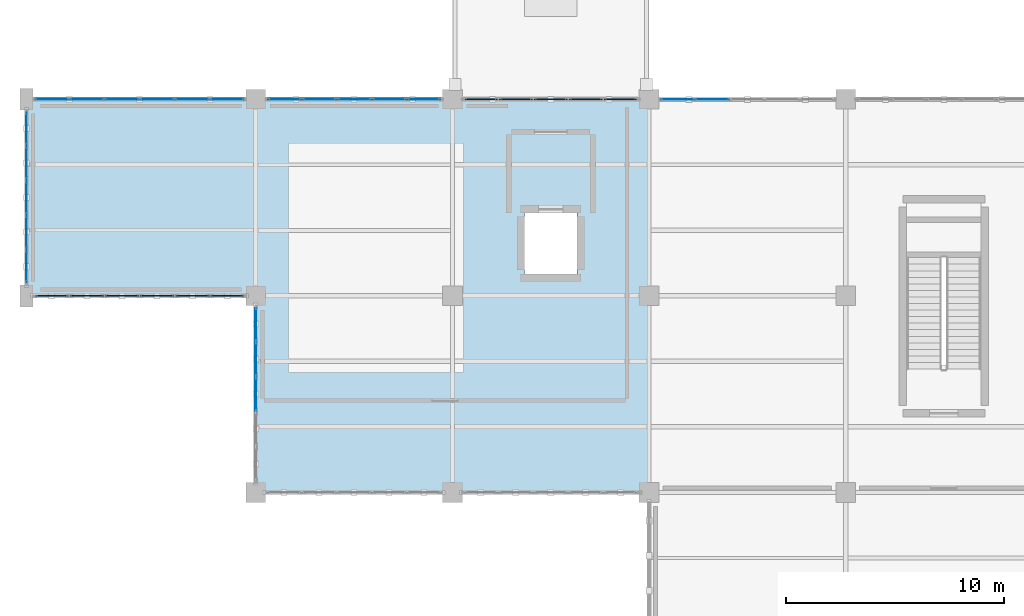
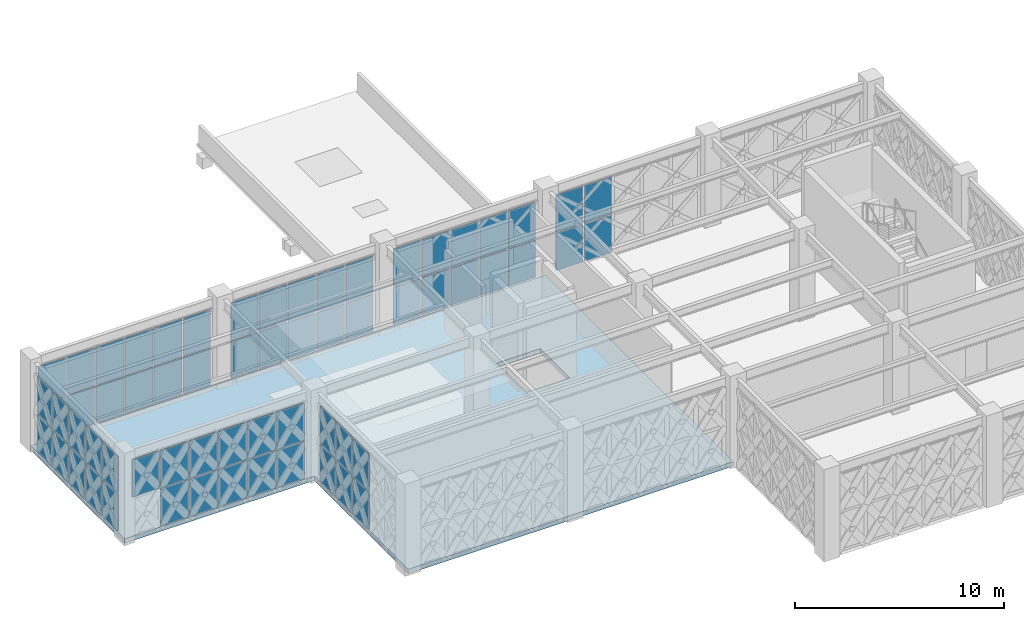
# One storey, part 118 of 155: 63 plates, 1 slab, 7 elements without a shape of their own.
"""IFC4 building model written with IfcOpenShell, lengths in metres."""

from ifc_helpers import new_model, si_unit, direction, frame, origin, origin_2d, place, context, subcontext, project, spatial, polyline, rectangle, outline, extrude, material, layer, layer_set, type_object, element, aggregate, save


model = new_model("IFC4")

# Units and contexts
model_context = context("Model", 3, precision=1e-05, world=origin(), true_north=direction((0.0, 1.0)))
body_context = subcontext(model_context, "Body", "Model", "MODEL_VIEW")
ifc_project = project(units=[si_unit("LENGTHUNIT", "METRE"), si_unit("AREAUNIT", "SQUARE_METRE"), si_unit("VOLUMEUNIT", "CUBIC_METRE"), si_unit("PLANEANGLEUNIT", "RADIAN"), si_unit("MASSUNIT", "GRAM", prefix="KILO")], contexts=[model_context])

# Site, building, storey
site_placement = place(None, origin())
site = spatial("IfcSite", under=ifc_project, at=site_placement, CompositionType="ELEMENT")
building_placement = place(site_placement, origin())
building = spatial("IfcBuilding", under=site, at=building_placement, Name="Haizhuo Lancet Aquarium", CompositionType="ELEMENT")
storey_placement = place(building_placement, frame((0.0, 0.0, 10.800048828125)))
storey = spatial("IfcBuildingStorey", under=building, at=storey_placement, Name="L02", CompositionType="ELEMENT", Elevation=10.800048828125)

# Curtain wall, plates
ifc_material_1 = material(Name="Aluminium 6063-T6", Category="aluminium")
curtain_wall_type_1 = type_object("IfcCurtainWallType", Name="CWD-7910x4560", PredefinedType="NOTDEFINED", material=ifc_material_1)
curtain_wall_1_placement = place(storey_placement, origin())
curtain_wall_1 = element("IfcCurtainWall", 1, at=curtain_wall_1_placement, inside=storey, type_object=curtain_wall_type_1, Name="L02 curtain wall CW-V6-L02-213", PredefinedType="NOTDEFINED")
ifc_material_2 = material(Name="Laminated Low-E Glass", Category="glass")
ifc_layer_1 = layer(ifc_material_2, 0.028076171875)
ifc_layer_set_1 = layer_set([ifc_layer_1], Name="Laminated Low-E Glass")
plate_type_1 = type_object("IfcPlateType", Name="CW-PNL-1", PredefinedType="CURTAIN_PANEL", material=ifc_layer_set_1)
plate_1_placement = place(storey_placement, frame((-82.5, -16.64404296875, 0.080078125), z_axis=(0.0, 0.0, 1.0), x_axis=(0.0, 1.0, 0.0)))
plate_1 = element("IfcPlate", 2, at=plate_1_placement, type_object=plate_type_1, Name="CWD-79x45 panel 1.1", PredefinedType="CURTAIN_PANEL", context=body_context, shape_type="SweptSolid", body=[
    extrude(rectangle(XDim=1.4619140625, YDim=0.028076171875, at=origin_2d()), origin(), (0.0, 0.0, 1.0), 2.159912109375),
])
plate_2_placement = place(storey_placement, frame((-82.5, -16.64404296875, 2.31982421875), z_axis=(0.0, 0.0, 1.0), x_axis=(0.0, 1.0, 0.0)))
plate_2 = element("IfcPlate", 3, at=plate_2_placement, type_object=plate_type_1, Name="CWD-79x45 panel 1.2", PredefinedType="CURTAIN_PANEL", context=body_context, shape_type="SweptSolid", body=[
    extrude(rectangle(XDim=1.4619140625, YDim=0.028076171875, at=origin_2d()), origin(), (0.0, 0.0, 1.0), 2.159912109375),
])
plate_3_placement = place(storey_placement, frame((-82.5, -15.08203125, 0.080078125), z_axis=(0.0, 0.0, 1.0), x_axis=(0.0, 1.0, 0.0)))
plate_3 = element("IfcPlate", 4, at=plate_3_placement, type_object=plate_type_1, Name="CWD-79x45 panel 2.1", PredefinedType="CURTAIN_PANEL", context=body_context, shape_type="SweptSolid", body=[
    extrude(rectangle(XDim=1.501953125, YDim=0.028076171875, at=origin_2d()), origin(), (0.0, 0.0, 1.0), 2.159912109375),
])
plate_4_placement = place(storey_placement, frame((-82.5, -15.08203125, 2.31982421875), z_axis=(0.0, 0.0, 1.0), x_axis=(0.0, 1.0, 0.0)))
plate_4 = element("IfcPlate", 5, at=plate_4_placement, type_object=plate_type_1, Name="CWD-79x45 panel 2.2", PredefinedType="CURTAIN_PANEL", context=body_context, shape_type="SweptSolid", body=[
    extrude(rectangle(XDim=1.501953125, YDim=0.028076171875, at=origin_2d()), origin(), (0.0, 0.0, 1.0), 2.159912109375),
])
plate_5_placement = place(storey_placement, frame((-82.5, -13.5, 0.080078125), z_axis=(0.0, 0.0, 1.0), x_axis=(0.0, 1.0, 0.0)))
plate_5 = element("IfcPlate", 6, at=plate_5_placement, type_object=plate_type_1, Name="CWD-79x45 panel 3.1", PredefinedType="CURTAIN_PANEL", context=body_context, shape_type="SweptSolid", body=[
    extrude(rectangle(XDim=1.501953125, YDim=0.028076171875, at=origin_2d()), origin(), (0.0, 0.0, 1.0), 2.159912109375),
])
plate_6_placement = place(storey_placement, frame((-82.5, -13.5, 2.31982421875), z_axis=(0.0, 0.0, 1.0), x_axis=(0.0, 1.0, 0.0)))
plate_6 = element("IfcPlate", 7, at=plate_6_placement, type_object=plate_type_1, Name="CWD-79x45 panel 3.2", PredefinedType="CURTAIN_PANEL", context=body_context, shape_type="SweptSolid", body=[
    extrude(rectangle(XDim=1.501953125, YDim=0.028076171875, at=origin_2d()), origin(), (0.0, 0.0, 1.0), 2.159912109375),
])
plate_7_placement = place(storey_placement, frame((-82.5, -11.91796875, 0.080078125), z_axis=(0.0, 0.0, 1.0), x_axis=(0.0, 1.0, 0.0)))
plate_7 = element("IfcPlate", 8, at=plate_7_placement, type_object=plate_type_1, Name="CWD-79x45 panel 4.1", PredefinedType="CURTAIN_PANEL", context=body_context, shape_type="SweptSolid", body=[
    extrude(rectangle(XDim=1.501953125, YDim=0.028076171875, at=origin_2d()), origin(), (0.0, 0.0, 1.0), 2.159912109375),
])
plate_8_placement = place(storey_placement, frame((-82.5, -11.91796875, 2.31982421875), z_axis=(0.0, 0.0, 1.0), x_axis=(0.0, 1.0, 0.0)))
plate_8 = element("IfcPlate", 9, at=plate_8_placement, type_object=plate_type_1, Name="CWD-79x45 panel 4.2", PredefinedType="CURTAIN_PANEL", context=body_context, shape_type="SweptSolid", body=[
    extrude(rectangle(XDim=1.501953125, YDim=0.028076171875, at=origin_2d()), origin(), (0.0, 0.0, 1.0), 2.159912109375),
])
plate_9_placement = place(storey_placement, frame((-82.5, -10.35595703125, 0.080078125), z_axis=(0.0, 0.0, 1.0), x_axis=(0.0, 1.0, 0.0)))
plate_9 = element("IfcPlate", 10, at=plate_9_placement, type_object=plate_type_1, Name="CWD-79x45 panel 5.1", PredefinedType="CURTAIN_PANEL", context=body_context, shape_type="SweptSolid", body=[
    extrude(rectangle(XDim=1.4619140625, YDim=0.028076171875, at=origin_2d()), origin(), (0.0, 0.0, 1.0), 2.159912109375),
])
plate_10_placement = place(storey_placement, frame((-82.5, -10.35595703125, 2.31982421875), z_axis=(0.0, 0.0, 1.0), x_axis=(0.0, 1.0, 0.0)))
plate_10 = element("IfcPlate", 11, at=plate_10_placement, type_object=plate_type_1, Name="CWD-79x45 panel 5.2", PredefinedType="CURTAIN_PANEL", context=body_context, shape_type="SweptSolid", body=[
    extrude(rectangle(XDim=1.4619140625, YDim=0.028076171875, at=origin_2d()), origin(), (0.0, 0.0, 1.0), 2.159912109375),
])
aggregate(curtain_wall_1, [plate_1, plate_2, plate_3, plate_4, plate_5, plate_6, plate_7, plate_8, plate_9, plate_10])

curtain_wall_type_2 = type_object("IfcCurtainWallType", Name="CWO-8010x4560", PredefinedType="NOTDEFINED", material=ifc_material_1)
curtain_wall_2_placement = place(storey_placement, origin())
curtain_wall_2 = element("IfcCurtainWall", 12, at=curtain_wall_2_placement, inside=storey, type_object=curtain_wall_type_2, Name="L02 curtain wall CW-V6-L02-217", PredefinedType="NOTDEFINED")
plate_11_placement = place(storey_placement, frame((-52.68798828125, -9.0, 0.06494140625), z_axis=(0.0, 0.0, 1.0), x_axis=(1.0, 0.0, 0.0)))
plate_11 = element("IfcPlate", 13, at=plate_11_placement, type_object=plate_type_1, Name="CWO-80x45 panel 1.1", PredefinedType="CURTAIN_PANEL", context=body_context, shape_type="SweptSolid", body=[
    extrude(rectangle(XDim=1.5048828125, YDim=0.028076171875, at=origin_2d()), origin(), (0.0, 0.0, 1.0), 2.181884765625),
])
plate_12_placement = place(storey_placement, frame((-52.68798828125, -9.0, 2.31298828125), z_axis=(0.0, 0.0, 1.0), x_axis=(1.0, 0.0, 0.0)))
plate_12 = element("IfcPlate", 14, at=plate_12_placement, type_object=plate_type_1, Name="CWO-80x45 panel 1.2", PredefinedType="CURTAIN_PANEL", context=body_context, shape_type="SweptSolid", body=[
    extrude(rectangle(XDim=1.5048828125, YDim=0.028076171875, at=origin_2d()), origin(), (0.0, 0.0, 1.0), 2.181884765625),
])
plate_13_placement = place(storey_placement, frame((-51.10205078125, -9.0, 0.06494140625), z_axis=(0.0, 0.0, 1.0), x_axis=(1.0, 0.0, 0.0)))
plate_13 = element("IfcPlate", 15, at=plate_13_placement, type_object=plate_type_1, Name="CWO-80x45 panel 2.1", PredefinedType="CURTAIN_PANEL", context=body_context, shape_type="SweptSolid", body=[
    extrude(rectangle(XDim=1.537109375, YDim=0.028076171875, at=origin_2d()), origin(), (0.0, 0.0, 1.0), 2.181884765625),
])
plate_14_placement = place(storey_placement, frame((-51.10205078125, -9.0, 2.31298828125), z_axis=(0.0, 0.0, 1.0), x_axis=(1.0, 0.0, 0.0)))
plate_14 = element("IfcPlate", 16, at=plate_14_placement, type_object=plate_type_1, Name="CWO-80x45 panel 2.2", PredefinedType="CURTAIN_PANEL", context=body_context, shape_type="SweptSolid", body=[
    extrude(rectangle(XDim=1.537109375, YDim=0.028076171875, at=origin_2d()), origin(), (0.0, 0.0, 1.0), 2.181884765625),
])
aggregate(curtain_wall_2, [plate_11, plate_12, plate_13, plate_14])

curtain_wall_type_3 = type_object("IfcCurtainWallType", Name="CWO-9660x4560", PredefinedType="NOTDEFINED", material=ifc_material_1)
curtain_wall_3_placement = place(storey_placement, origin())
curtain_wall_3 = element("IfcCurtainWall", 17, at=curtain_wall_3_placement, inside=storey, type_object=curtain_wall_type_3, Name="L02 curtain wall CW-V6-L02-214", PredefinedType="NOTDEFINED")
ifc_layer_2 = layer(ifc_material_2, 0.033935546875)
ifc_layer_set_2 = layer_set([ifc_layer_2], Name="Laminated Low-E Glass")
plate_type_2 = type_object("IfcPlateType", Name="CW-PNL-2", PredefinedType="CURTAIN_PANEL", material=ifc_layer_set_2)
plate_15_placement = place(storey_placement, frame((-81.333984375, -9.0, 0.06494140625), z_axis=(0.0, 0.0, 1.0), x_axis=(1.0, 0.0, 0.0)))
plate_15 = element("IfcPlate", 18, at=plate_15_placement, type_object=plate_type_2, Name="CWO-96x45 panel 1.1", PredefinedType="CURTAIN_PANEL", context=body_context, shape_type="SweptSolid", body=[
    extrude(rectangle(XDim=1.511962890625, YDim=0.033935546875, at=origin_2d()), origin(), (0.0, 0.0, 1.0), 2.181884765625),
])
plate_16_placement = place(storey_placement, frame((-81.333984375, -9.0, 2.31298828125), z_axis=(0.0, 0.0, 1.0), x_axis=(1.0, 0.0, 0.0)))
plate_16 = element("IfcPlate", 19, at=plate_16_placement, type_object=plate_type_2, Name="CWO-96x45 panel 1.2", PredefinedType="CURTAIN_PANEL", context=body_context, shape_type="SweptSolid", body=[
    extrude(rectangle(XDim=1.511962890625, YDim=0.033935546875, at=origin_2d()), origin(), (0.0, 0.0, 1.0), 2.181884765625),
])
plate_17_placement = place(storey_placement, frame((-79.739990234375, -9.0, 0.06494140625), z_axis=(0.0, 0.0, 1.0), x_axis=(1.0, 0.0, 0.0)))
plate_17 = element("IfcPlate", 20, at=plate_17_placement, type_object=plate_type_2, Name="CWO-96x45 panel 2.1", PredefinedType="CURTAIN_PANEL", context=body_context, shape_type="SweptSolid", body=[
    extrude(rectangle(XDim=1.544921875, YDim=0.033935546875, at=origin_2d()), origin(), (0.0, 0.0, 1.0), 2.181884765625),
])
plate_18_placement = place(storey_placement, frame((-79.739990234375, -9.0, 2.31298828125), z_axis=(0.0, 0.0, 1.0), x_axis=(1.0, 0.0, 0.0)))
plate_18 = element("IfcPlate", 21, at=plate_18_placement, type_object=plate_type_2, Name="CWO-96x45 panel 2.2", PredefinedType="CURTAIN_PANEL", context=body_context, shape_type="SweptSolid", body=[
    extrude(rectangle(XDim=1.544921875, YDim=0.033935546875, at=origin_2d()), origin(), (0.0, 0.0, 1.0), 2.181884765625),
])
plate_19_placement = place(storey_placement, frame((-78.1298828125, -9.0, 0.06494140625), z_axis=(0.0, 0.0, 1.0), x_axis=(1.0, 0.0, 0.0)))
plate_19 = element("IfcPlate", 22, at=plate_19_placement, type_object=plate_type_2, Name="CWO-96x45 panel 3.1", PredefinedType="CURTAIN_PANEL", context=body_context, shape_type="SweptSolid", body=[
    extrude(rectangle(XDim=1.544921875, YDim=0.033935546875, at=origin_2d()), origin(), (0.0, 0.0, 1.0), 2.181884765625),
])
plate_20_placement = place(storey_placement, frame((-78.1298828125, -9.0, 2.31298828125), z_axis=(0.0, 0.0, 1.0), x_axis=(1.0, 0.0, 0.0)))
plate_20 = element("IfcPlate", 23, at=plate_20_placement, type_object=plate_type_2, Name="CWO-96x45 panel 3.2", PredefinedType="CURTAIN_PANEL", context=body_context, shape_type="SweptSolid", body=[
    extrude(rectangle(XDim=1.544921875, YDim=0.033935546875, at=origin_2d()), origin(), (0.0, 0.0, 1.0), 2.181884765625),
])
plate_21_placement = place(storey_placement, frame((-76.52001953125, -9.0, 0.06494140625), z_axis=(0.0, 0.0, 1.0), x_axis=(1.0, 0.0, 0.0)))
plate_21 = element("IfcPlate", 24, at=plate_21_placement, type_object=plate_type_2, Name="CWO-96x45 panel 4.1", PredefinedType="CURTAIN_PANEL", context=body_context, shape_type="SweptSolid", body=[
    extrude(rectangle(XDim=1.544921875, YDim=0.033935546875, at=origin_2d()), origin(), (0.0, 0.0, 1.0), 2.181884765625),
])
plate_22_placement = place(storey_placement, frame((-76.52001953125, -9.0, 2.31298828125), z_axis=(0.0, 0.0, 1.0), x_axis=(1.0, 0.0, 0.0)))
plate_22 = element("IfcPlate", 25, at=plate_22_placement, type_object=plate_type_2, Name="CWO-96x45 panel 4.2", PredefinedType="CURTAIN_PANEL", context=body_context, shape_type="SweptSolid", body=[
    extrude(rectangle(XDim=1.544921875, YDim=0.033935546875, at=origin_2d()), origin(), (0.0, 0.0, 1.0), 2.181884765625),
])
plate_23_placement = place(storey_placement, frame((-74.909912109375, -9.0, 0.06494140625), z_axis=(0.0, 0.0, 1.0), x_axis=(1.0, 0.0, 0.0)))
plate_23 = element("IfcPlate", 26, at=plate_23_placement, type_object=plate_type_2, Name="CWO-96x45 panel 5.1", PredefinedType="CURTAIN_PANEL", context=body_context, shape_type="SweptSolid", body=[
    extrude(rectangle(XDim=1.544921875, YDim=0.033935546875, at=origin_2d()), origin(), (0.0, 0.0, 1.0), 2.181884765625),
])
plate_24_placement = place(storey_placement, frame((-74.909912109375, -9.0, 2.31298828125), z_axis=(0.0, 0.0, 1.0), x_axis=(1.0, 0.0, 0.0)))
plate_24 = element("IfcPlate", 27, at=plate_24_placement, type_object=plate_type_2, Name="CWO-96x45 panel 5.2", PredefinedType="CURTAIN_PANEL", context=body_context, shape_type="SweptSolid", body=[
    extrude(rectangle(XDim=1.544921875, YDim=0.033935546875, at=origin_2d()), origin(), (0.0, 0.0, 1.0), 2.181884765625),
])
plate_25_placement = place(storey_placement, frame((-73.31591796875, -9.0, 0.06494140625), z_axis=(0.0, 0.0, 1.0), x_axis=(1.0, 0.0, 0.0)))
plate_25 = element("IfcPlate", 28, at=plate_25_placement, type_object=plate_type_2, Name="CWO-96x45 panel 6.1", PredefinedType="CURTAIN_PANEL", context=body_context, shape_type="SweptSolid", body=[
    extrude(rectangle(XDim=1.511962890625, YDim=0.033935546875, at=origin_2d()), origin(), (0.0, 0.0, 1.0), 2.181884765625),
])
plate_26_placement = place(storey_placement, frame((-73.31591796875, -9.0, 2.31298828125), z_axis=(0.0, 0.0, 1.0), x_axis=(1.0, 0.0, 0.0)))
plate_26 = element("IfcPlate", 29, at=plate_26_placement, type_object=plate_type_2, Name="CWO-96x45 panel 6.2", PredefinedType="CURTAIN_PANEL", context=body_context, shape_type="SweptSolid", body=[
    extrude(rectangle(XDim=1.511962890625, YDim=0.033935546875, at=origin_2d()), origin(), (0.0, 0.0, 1.0), 2.181884765625),
])
aggregate(curtain_wall_3, [plate_15, plate_16, plate_17, plate_18, plate_19, plate_20, plate_21, plate_22, plate_23, plate_24, plate_25, plate_26])

curtain_wall_4_placement = place(storey_placement, origin())
curtain_wall_4 = element("IfcCurtainWall", 30, at=curtain_wall_4_placement, inside=storey, type_object=curtain_wall_type_2, Name="L02 curtain wall CW-V6-L02-215", PredefinedType="NOTDEFINED")
ifc_layer_3 = layer(ifc_material_2, 0.0419921875)
ifc_layer_set_3 = layer_set([ifc_layer_3], Name="Laminated Low-E Glass")
plate_type_3 = type_object("IfcPlateType", Name="CW-PNL-3", PredefinedType="CURTAIN_PANEL", material=ifc_layer_set_3)
plate_27_placement = place(storey_placement, frame((-70.68505859375, -9.0, 0.074951171875), z_axis=(0.0, 0.0, 1.0), x_axis=(1.0, 0.0, 0.0)))
plate_27 = element("IfcPlate", 31, at=plate_27_placement, type_object=plate_type_3, Name="CWO-80x45 panel 1.1", PredefinedType="CURTAIN_PANEL", context=body_context, shape_type="SweptSolid", body=[
    extrude(rectangle(XDim=1.489013671875, YDim=0.0419921875, at=origin_2d()), origin(), (0.0, 0.0, 1.0), 2.16796875),
])
plate_28_placement = place(storey_placement, frame((-70.68505859375, -9.0, 2.31689453125), z_axis=(0.0, 0.0, 1.0), x_axis=(1.0, 0.0, 0.0)))
plate_28 = element("IfcPlate", 32, at=plate_28_placement, type_object=plate_type_3, Name="CWO-80x45 panel 1.2", PredefinedType="CURTAIN_PANEL", context=body_context, shape_type="SweptSolid", body=[
    extrude(rectangle(XDim=1.489013671875, YDim=0.0419921875, at=origin_2d()), origin(), (0.0, 0.0, 1.0), 2.16796875),
])
plate_29_placement = place(storey_placement, frame((-69.10205078125, -9.0, 0.074951171875), z_axis=(0.0, 0.0, 1.0), x_axis=(1.0, 0.0, 0.0)))
plate_29 = element("IfcPlate", 33, at=plate_29_placement, type_object=plate_type_3, Name="CWO-80x45 panel 2.1", PredefinedType="CURTAIN_PANEL", context=body_context, shape_type="SweptSolid", body=[
    extrude(rectangle(XDim=1.527099609375, YDim=0.0419921875, at=origin_2d()), origin(), (0.0, 0.0, 1.0), 2.16796875),
])
plate_30_placement = place(storey_placement, frame((-69.10205078125, -9.0, 2.31689453125), z_axis=(0.0, 0.0, 1.0), x_axis=(1.0, 0.0, 0.0)))
plate_30 = element("IfcPlate", 34, at=plate_30_placement, type_object=plate_type_3, Name="CWO-80x45 panel 2.2", PredefinedType="CURTAIN_PANEL", context=body_context, shape_type="SweptSolid", body=[
    extrude(rectangle(XDim=1.527099609375, YDim=0.0419921875, at=origin_2d()), origin(), (0.0, 0.0, 1.0), 2.16796875),
])
plate_31_placement = place(storey_placement, frame((-67.5, -9.0, 0.074951171875), z_axis=(0.0, 0.0, 1.0), x_axis=(1.0, 0.0, 0.0)))
plate_31 = element("IfcPlate", 35, at=plate_31_placement, type_object=plate_type_3, Name="CWO-80x45 panel 3.1", PredefinedType="CURTAIN_PANEL", context=body_context, shape_type="SweptSolid", body=[
    extrude(rectangle(XDim=1.527099609375, YDim=0.0419921875, at=origin_2d()), origin(), (0.0, 0.0, 1.0), 2.16796875),
])
plate_32_placement = place(storey_placement, frame((-67.5, -9.0, 2.31689453125), z_axis=(0.0, 0.0, 1.0), x_axis=(1.0, 0.0, 0.0)))
plate_32 = element("IfcPlate", 36, at=plate_32_placement, type_object=plate_type_3, Name="CWO-80x45 panel 3.2", PredefinedType="CURTAIN_PANEL", context=body_context, shape_type="SweptSolid", body=[
    extrude(rectangle(XDim=1.527099609375, YDim=0.0419921875, at=origin_2d()), origin(), (0.0, 0.0, 1.0), 2.16796875),
])
plate_33_placement = place(storey_placement, frame((-65.89794921875, -9.0, 0.074951171875), z_axis=(0.0, 0.0, 1.0), x_axis=(1.0, 0.0, 0.0)))
plate_33 = element("IfcPlate", 37, at=plate_33_placement, type_object=plate_type_3, Name="CWO-80x45 panel 4.1", PredefinedType="CURTAIN_PANEL", context=body_context, shape_type="SweptSolid", body=[
    extrude(rectangle(XDim=1.527099609375, YDim=0.0419921875, at=origin_2d()), origin(), (0.0, 0.0, 1.0), 2.16796875),
])
plate_34_placement = place(storey_placement, frame((-65.89794921875, -9.0, 2.31689453125), z_axis=(0.0, 0.0, 1.0), x_axis=(1.0, 0.0, 0.0)))
plate_34 = element("IfcPlate", 38, at=plate_34_placement, type_object=plate_type_3, Name="CWO-80x45 panel 4.2", PredefinedType="CURTAIN_PANEL", context=body_context, shape_type="SweptSolid", body=[
    extrude(rectangle(XDim=1.527099609375, YDim=0.0419921875, at=origin_2d()), origin(), (0.0, 0.0, 1.0), 2.16796875),
])
plate_35_placement = place(storey_placement, frame((-64.31494140625, -9.0, 0.074951171875), z_axis=(0.0, 0.0, 1.0), x_axis=(1.0, 0.0, 0.0)))
plate_35 = element("IfcPlate", 39, at=plate_35_placement, type_object=plate_type_3, Name="CWO-80x45 panel 5.1", PredefinedType="CURTAIN_PANEL", context=body_context, shape_type="SweptSolid", body=[
    extrude(rectangle(XDim=1.489990234375, YDim=0.0419921875, at=origin_2d()), origin(), (0.0, 0.0, 1.0), 2.16796875),
])
plate_36_placement = place(storey_placement, frame((-64.31494140625, -9.0, 2.31689453125), z_axis=(0.0, 0.0, 1.0), x_axis=(1.0, 0.0, 0.0)))
plate_36 = element("IfcPlate", 40, at=plate_36_placement, type_object=plate_type_3, Name="CWO-80x45 panel 5.2", PredefinedType="CURTAIN_PANEL", context=body_context, shape_type="SweptSolid", body=[
    extrude(rectangle(XDim=1.489990234375, YDim=0.0419921875, at=origin_2d()), origin(), (0.0, 0.0, 1.0), 2.16796875),
])
aggregate(curtain_wall_4, [plate_27, plate_28, plate_29, plate_30, plate_31, plate_32, plate_33, plate_34, plate_35, plate_36])

curtain_wall_type_4 = type_object("IfcCurtainWallType", Name="CWD-8010x4560", PredefinedType="NOTDEFINED", material=ifc_material_1)
curtain_wall_5_placement = place(storey_placement, origin())
curtain_wall_5 = element("IfcCurtainWall", 41, at=curtain_wall_5_placement, inside=storey, type_object=curtain_wall_type_4, Name="L02 curtain wall CW-V6-L02-227", PredefinedType="NOTDEFINED")
plate_37_placement = place(storey_placement, frame((-72.0, -22.5, 0.074951171875), z_axis=(0.0, 0.0, 1.0), x_axis=(0.0, 1.0, 0.0)))
plate_37 = element("IfcPlate", 42, at=plate_37_placement, type_object=plate_type_3, Name="CWD-80x45 panel 3.1", PredefinedType="CURTAIN_PANEL", context=body_context, shape_type="SweptSolid", body=[
    extrude(rectangle(XDim=1.527099609375, YDim=0.0419921875, at=origin_2d()), origin(), (0.0, 0.0, 1.0), 2.16796875),
])
plate_38_placement = place(storey_placement, frame((-72.0, -22.5, 2.31689453125), z_axis=(0.0, 0.0, 1.0), x_axis=(0.0, 1.0, 0.0)))
plate_38 = element("IfcPlate", 43, at=plate_38_placement, type_object=plate_type_3, Name="CWD-80x45 panel 3.2", PredefinedType="CURTAIN_PANEL", context=body_context, shape_type="SweptSolid", body=[
    extrude(rectangle(XDim=1.527099609375, YDim=0.0419921875, at=origin_2d()), origin(), (0.0, 0.0, 1.0), 2.16796875),
])
plate_39_placement = place(storey_placement, frame((-72.0, -20.89794921875, 0.074951171875), z_axis=(0.0, 0.0, 1.0), x_axis=(0.0, 1.0, 0.0)))
plate_39 = element("IfcPlate", 44, at=plate_39_placement, type_object=plate_type_3, Name="CWD-80x45 panel 4.1", PredefinedType="CURTAIN_PANEL", context=body_context, shape_type="SweptSolid", body=[
    extrude(rectangle(XDim=1.527099609375, YDim=0.0419921875, at=origin_2d()), origin(), (0.0, 0.0, 1.0), 2.16796875),
])
plate_40_placement = place(storey_placement, frame((-72.0, -20.89794921875, 2.31689453125), z_axis=(0.0, 0.0, 1.0), x_axis=(0.0, 1.0, 0.0)))
plate_40 = element("IfcPlate", 45, at=plate_40_placement, type_object=plate_type_3, Name="CWD-80x45 panel 4.2", PredefinedType="CURTAIN_PANEL", context=body_context, shape_type="SweptSolid", body=[
    extrude(rectangle(XDim=1.527099609375, YDim=0.0419921875, at=origin_2d()), origin(), (0.0, 0.0, 1.0), 2.16796875),
])
plate_41_placement = place(storey_placement, frame((-72.0, -19.31494140625, 0.074951171875), z_axis=(0.0, 0.0, 1.0), x_axis=(0.0, 1.0, 0.0)))
plate_41 = element("IfcPlate", 46, at=plate_41_placement, type_object=plate_type_3, Name="CWD-80x45 panel 5.1", PredefinedType="CURTAIN_PANEL", context=body_context, shape_type="SweptSolid", body=[
    extrude(rectangle(XDim=1.489990234375, YDim=0.0419921875, at=origin_2d()), origin(), (0.0, 0.0, 1.0), 2.16796875),
])
plate_42_placement = place(storey_placement, frame((-72.0, -19.31494140625, 2.31689453125), z_axis=(0.0, 0.0, 1.0), x_axis=(0.0, 1.0, 0.0)))
plate_42 = element("IfcPlate", 47, at=plate_42_placement, type_object=plate_type_3, Name="CWD-80x45 panel 5.2", PredefinedType="CURTAIN_PANEL", context=body_context, shape_type="SweptSolid", body=[
    extrude(rectangle(XDim=1.489990234375, YDim=0.0419921875, at=origin_2d()), origin(), (0.0, 0.0, 1.0), 2.16796875),
])
aggregate(curtain_wall_5, [plate_37, plate_38, plate_39, plate_40, plate_41, plate_42])

curtain_wall_type_5 = type_object("IfcCurtainWallType", Name="CWD-9660x4560", PredefinedType="NOTDEFINED", material=ifc_material_1)
curtain_wall_6_placement = place(storey_placement, origin())
curtain_wall_6 = element("IfcCurtainWall", 48, at=curtain_wall_6_placement, inside=storey, type_object=curtain_wall_type_5, Name="L02 curtain wall CW-V6-L02-212", PredefinedType="NOTDEFINED")
ifc_layer_4 = layer(ifc_material_2, 0.052001953125)
ifc_layer_set_4 = layer_set([ifc_layer_4], Name="Laminated Low-E Glass")
plate_type_4 = type_object("IfcPlateType", Name="CW-PNL-4", PredefinedType="CURTAIN_PANEL", material=ifc_layer_set_4)
plate_43_placement = place(storey_placement, frame((-73.319091796875, -18.0, 0.074951171875), z_axis=(0.0, 0.0, 1.0), x_axis=(-1.0, 0.0, 0.0)))
plate_43 = element("IfcPlate", 49, at=plate_43_placement, type_object=plate_type_4, Name="CWD-96x45 panel 1.1", PredefinedType="CURTAIN_PANEL", context=body_context, shape_type="SweptSolid", body=[
    extrude(rectangle(XDim=1.4970703125, YDim=0.052001953125, at=origin_2d()), origin(), (0.0, 0.0, 1.0), 2.16796875),
])
plate_44_placement = place(storey_placement, frame((-73.319091796875, -18.0, 2.31689453125), z_axis=(0.0, 0.0, 1.0), x_axis=(-1.0, 0.0, 0.0)))
plate_44 = element("IfcPlate", 50, at=plate_44_placement, type_object=plate_type_4, Name="CWD-96x45 panel 1.2", PredefinedType="CURTAIN_PANEL", context=body_context, shape_type="SweptSolid", body=[
    extrude(rectangle(XDim=1.4970703125, YDim=0.052001953125, at=origin_2d()), origin(), (0.0, 0.0, 1.0), 2.16796875),
])
plate_45_placement = place(storey_placement, frame((-74.909912109375, -18.0, 0.074951171875), z_axis=(0.0, 0.0, 1.0), x_axis=(-1.0, 0.0, 0.0)))
plate_45 = element("IfcPlate", 51, at=plate_45_placement, type_object=plate_type_4, Name="CWD-96x45 panel 2.1", PredefinedType="CURTAIN_PANEL", context=body_context, shape_type="SweptSolid", body=[
    extrude(rectangle(XDim=1.534912109375, YDim=0.052001953125, at=origin_2d()), origin(), (0.0, 0.0, 1.0), 2.16796875),
])
plate_46_placement = place(storey_placement, frame((-74.909912109375, -18.0, 2.31689453125), z_axis=(0.0, 0.0, 1.0), x_axis=(-1.0, 0.0, 0.0)))
plate_46 = element("IfcPlate", 52, at=plate_46_placement, type_object=plate_type_4, Name="CWD-96x45 panel 2.2", PredefinedType="CURTAIN_PANEL", context=body_context, shape_type="SweptSolid", body=[
    extrude(rectangle(XDim=1.534912109375, YDim=0.052001953125, at=origin_2d()), origin(), (0.0, 0.0, 1.0), 2.16796875),
])
plate_47_placement = place(storey_placement, frame((-76.52001953125, -18.0, 0.074951171875), z_axis=(0.0, 0.0, 1.0), x_axis=(-1.0, 0.0, 0.0)))
plate_47 = element("IfcPlate", 53, at=plate_47_placement, type_object=plate_type_4, Name="CWD-96x45 panel 3.1", PredefinedType="CURTAIN_PANEL", context=body_context, shape_type="SweptSolid", body=[
    extrude(rectangle(XDim=1.534912109375, YDim=0.052001953125, at=origin_2d()), origin(), (0.0, 0.0, 1.0), 2.16796875),
])
plate_48_placement = place(storey_placement, frame((-76.52001953125, -18.0, 2.31689453125), z_axis=(0.0, 0.0, 1.0), x_axis=(-1.0, 0.0, 0.0)))
plate_48 = element("IfcPlate", 54, at=plate_48_placement, type_object=plate_type_4, Name="CWD-96x45 panel 3.2", PredefinedType="CURTAIN_PANEL", context=body_context, shape_type="SweptSolid", body=[
    extrude(rectangle(XDim=1.534912109375, YDim=0.052001953125, at=origin_2d()), origin(), (0.0, 0.0, 1.0), 2.16796875),
])
plate_49_placement = place(storey_placement, frame((-78.1298828125, -18.0, 0.074951171875), z_axis=(0.0, 0.0, 1.0), x_axis=(-1.0, 0.0, 0.0)))
plate_49 = element("IfcPlate", 55, at=plate_49_placement, type_object=plate_type_4, Name="CWD-96x45 panel 4.1", PredefinedType="CURTAIN_PANEL", context=body_context, shape_type="SweptSolid", body=[
    extrude(rectangle(XDim=1.534912109375, YDim=0.052001953125, at=origin_2d()), origin(), (0.0, 0.0, 1.0), 2.16796875),
])
plate_50_placement = place(storey_placement, frame((-78.1298828125, -18.0, 2.31689453125), z_axis=(0.0, 0.0, 1.0), x_axis=(-1.0, 0.0, 0.0)))
plate_50 = element("IfcPlate", 56, at=plate_50_placement, type_object=plate_type_4, Name="CWD-96x45 panel 4.2", PredefinedType="CURTAIN_PANEL", context=body_context, shape_type="SweptSolid", body=[
    extrude(rectangle(XDim=1.534912109375, YDim=0.052001953125, at=origin_2d()), origin(), (0.0, 0.0, 1.0), 2.16796875),
])
plate_51_placement = place(storey_placement, frame((-79.739990234375, -18.0, 0.074951171875), z_axis=(0.0, 0.0, 1.0), x_axis=(-1.0, 0.0, 0.0)))
plate_51 = element("IfcPlate", 57, at=plate_51_placement, type_object=plate_type_4, Name="CWD-96x45 panel 5.1", PredefinedType="CURTAIN_PANEL", context=body_context, shape_type="SweptSolid", body=[
    extrude(rectangle(XDim=1.534912109375, YDim=0.052001953125, at=origin_2d()), origin(), (0.0, 0.0, 1.0), 2.16796875),
])
plate_52_placement = place(storey_placement, frame((-79.739990234375, -18.0, 2.31689453125), z_axis=(0.0, 0.0, 1.0), x_axis=(-1.0, 0.0, 0.0)))
plate_52 = element("IfcPlate", 58, at=plate_52_placement, type_object=plate_type_4, Name="CWD-96x45 panel 5.2", PredefinedType="CURTAIN_PANEL", context=body_context, shape_type="SweptSolid", body=[
    extrude(rectangle(XDim=1.534912109375, YDim=0.052001953125, at=origin_2d()), origin(), (0.0, 0.0, 1.0), 2.16796875),
])
plate_53_placement = place(storey_placement, frame((-81.3310546875, -18.0, 2.31689453125), z_axis=(0.0, 0.0, 1.0), x_axis=(-1.0, 0.0, 0.0)))
plate_53 = element("IfcPlate", 59, at=plate_53_placement, type_object=plate_type_4, Name="CWD-96x45 panel 6.2", PredefinedType="CURTAIN_PANEL", context=body_context, shape_type="SweptSolid", body=[
    extrude(rectangle(XDim=1.498046875, YDim=0.052001953125, at=origin_2d()), origin(), (0.0, 0.0, 1.0), 2.16796875),
])
aggregate(curtain_wall_6, [plate_43, plate_44, plate_45, plate_46, plate_47, plate_48, plate_49, plate_50, plate_51, plate_52, plate_53])

curtain_wall_7_placement = place(storey_placement, origin())
curtain_wall_7 = element("IfcCurtainWall", 60, at=curtain_wall_7_placement, inside=storey, type_object=curtain_wall_type_2, Name="L02 curtain wall CW-V6-L02-216", PredefinedType="NOTDEFINED")
plate_54_placement = place(storey_placement, frame((-61.68408203125, -9.0, 0.080078125), z_axis=(0.0, 0.0, 1.0), x_axis=(1.0, 0.0, 0.0)))
plate_54 = element("IfcPlate", 61, at=plate_54_placement, type_object=plate_type_4, Name="CWO-80x45 panel 1.1", PredefinedType="CURTAIN_PANEL", context=body_context, shape_type="SweptSolid", body=[
    extrude(rectangle(XDim=1.48193359375, YDim=0.052001953125, at=origin_2d()), origin(), (0.0, 0.0, 1.0), 2.159912109375),
])
plate_55_placement = place(storey_placement, frame((-61.68408203125, -9.0, 2.31982421875), z_axis=(0.0, 0.0, 1.0), x_axis=(1.0, 0.0, 0.0)))
plate_55 = element("IfcPlate", 62, at=plate_55_placement, type_object=plate_type_4, Name="CWO-80x45 panel 1.2", PredefinedType="CURTAIN_PANEL", context=body_context, shape_type="SweptSolid", body=[
    extrude(rectangle(XDim=1.48193359375, YDim=0.052001953125, at=origin_2d()), origin(), (0.0, 0.0, 1.0), 2.159912109375),
])
plate_56_placement = place(storey_placement, frame((-60.10205078125, -9.0, 0.080078125), z_axis=(0.0, 0.0, 1.0), x_axis=(1.0, 0.0, 0.0)))
plate_56 = element("IfcPlate", 63, at=plate_56_placement, type_object=plate_type_4, Name="CWO-80x45 panel 2.1", PredefinedType="CURTAIN_PANEL", context=body_context, shape_type="SweptSolid", body=[
    extrude(rectangle(XDim=1.52197265625, YDim=0.052001953125, at=origin_2d()), origin(), (0.0, 0.0, 1.0), 2.159912109375),
])
plate_57_placement = place(storey_placement, frame((-60.10205078125, -9.0, 2.31982421875), z_axis=(0.0, 0.0, 1.0), x_axis=(1.0, 0.0, 0.0)))
plate_57 = element("IfcPlate", 64, at=plate_57_placement, type_object=plate_type_4, Name="CWO-80x45 panel 2.2", PredefinedType="CURTAIN_PANEL", context=body_context, shape_type="SweptSolid", body=[
    extrude(rectangle(XDim=1.52197265625, YDim=0.052001953125, at=origin_2d()), origin(), (0.0, 0.0, 1.0), 2.159912109375),
])
plate_58_placement = place(storey_placement, frame((-58.5, -9.0, 0.080078125), z_axis=(0.0, 0.0, 1.0), x_axis=(1.0, 0.0, 0.0)))
plate_58 = element("IfcPlate", 65, at=plate_58_placement, type_object=plate_type_4, Name="CWO-80x45 panel 3.1", PredefinedType="CURTAIN_PANEL", context=body_context, shape_type="SweptSolid", body=[
    extrude(rectangle(XDim=1.52197265625, YDim=0.052001953125, at=origin_2d()), origin(), (0.0, 0.0, 1.0), 2.159912109375),
])
plate_59_placement = place(storey_placement, frame((-58.5, -9.0, 2.31982421875), z_axis=(0.0, 0.0, 1.0), x_axis=(1.0, 0.0, 0.0)))
plate_59 = element("IfcPlate", 66, at=plate_59_placement, type_object=plate_type_4, Name="CWO-80x45 panel 3.2", PredefinedType="CURTAIN_PANEL", context=body_context, shape_type="SweptSolid", body=[
    extrude(rectangle(XDim=1.52197265625, YDim=0.052001953125, at=origin_2d()), origin(), (0.0, 0.0, 1.0), 2.159912109375),
])
plate_60_placement = place(storey_placement, frame((-56.89794921875, -9.0, 0.080078125), z_axis=(0.0, 0.0, 1.0), x_axis=(1.0, 0.0, 0.0)))
plate_60 = element("IfcPlate", 67, at=plate_60_placement, type_object=plate_type_4, Name="CWO-80x45 panel 4.1", PredefinedType="CURTAIN_PANEL", context=body_context, shape_type="SweptSolid", body=[
    extrude(rectangle(XDim=1.52197265625, YDim=0.052001953125, at=origin_2d()), origin(), (0.0, 0.0, 1.0), 2.159912109375),
])
plate_61_placement = place(storey_placement, frame((-56.89794921875, -9.0, 2.31982421875), z_axis=(0.0, 0.0, 1.0), x_axis=(1.0, 0.0, 0.0)))
plate_61 = element("IfcPlate", 68, at=plate_61_placement, type_object=plate_type_4, Name="CWO-80x45 panel 4.2", PredefinedType="CURTAIN_PANEL", context=body_context, shape_type="SweptSolid", body=[
    extrude(rectangle(XDim=1.52197265625, YDim=0.052001953125, at=origin_2d()), origin(), (0.0, 0.0, 1.0), 2.159912109375),
])
plate_62_placement = place(storey_placement, frame((-55.31591796875, -9.0, 0.080078125), z_axis=(0.0, 0.0, 1.0), x_axis=(1.0, 0.0, 0.0)))
plate_62 = element("IfcPlate", 69, at=plate_62_placement, type_object=plate_type_4, Name="CWO-80x45 panel 5.1", PredefinedType="CURTAIN_PANEL", context=body_context, shape_type="SweptSolid", body=[
    extrude(rectangle(XDim=1.48193359375, YDim=0.052001953125, at=origin_2d()), origin(), (0.0, 0.0, 1.0), 2.159912109375),
])
plate_63_placement = place(storey_placement, frame((-55.31591796875, -9.0, 2.31982421875), z_axis=(0.0, 0.0, 1.0), x_axis=(1.0, 0.0, 0.0)))
plate_63 = element("IfcPlate", 70, at=plate_63_placement, type_object=plate_type_4, Name="CWO-80x45 panel 5.2", PredefinedType="CURTAIN_PANEL", context=body_context, shape_type="SweptSolid", body=[
    extrude(rectangle(XDim=1.48193359375, YDim=0.052001953125, at=origin_2d()), origin(), (0.0, 0.0, 1.0), 2.159912109375),
])
aggregate(curtain_wall_7, [plate_54, plate_55, plate_56, plate_57, plate_58, plate_59, plate_60, plate_61, plate_62, plate_63])

# Slab
ifc_material_3 = material(Name="Concrete C40/50", Category="concrete")
ifc_layer_5 = layer(ifc_material_3, 0.260009765625)
ifc_layer_set_5 = layer_set([ifc_layer_5], Name="Concrete C40/50")
slab_type = type_object("IfcSlabType", Name="SLB-UPPER-260", PredefinedType="FLOOR", material=ifc_layer_set_5)
slab_placement = place(storey_placement, frame((0.0, 0.0, -0.260009765625)))
element("IfcSlab", 71, at=slab_placement, inside=storey, type_object=slab_type, Name="L02 structural slab SL-L02-V6-01", PredefinedType="FLOOR", context=body_context, shape_type="SweptSolid", body=[
    extrude(outline(polyline([(-72.0, -27.0), (-54.0, -27.0), (-54.0, -9.0), (-82.5, -9.0), (-82.5, -18.0), (-72.0, -18.0), (-72.0, -27.0)]), holes=[polyline([(-57.300048828125, -14.199951171875), (-59.699951171875, -14.199951171875), (-59.699951171875, -17.0), (-57.300048828125, -17.0), (-57.300048828125, -14.199951171875)])]), origin(), (0.0, 0.0, 1.0), 0.260009765625),
])

save(model, "model.ifc")
